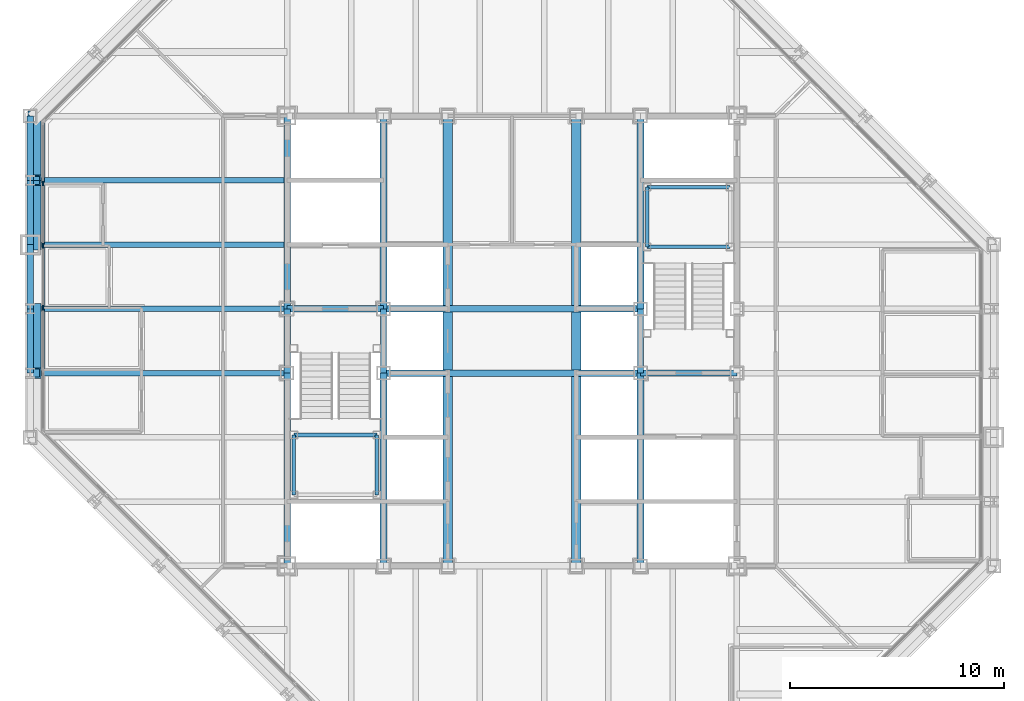
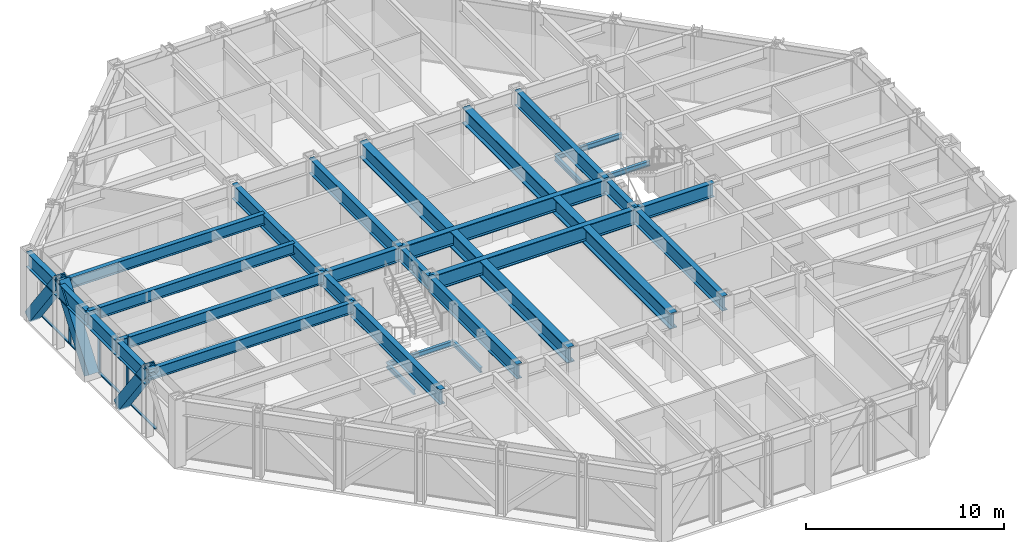
# One storey, part 5 of 15: 33 beams, 10 members, 1 element without a shape of its own.
"""IFC4 building model written with IfcOpenShell, lengths in metres."""

from ifc_helpers import new_model, si_unit, direction, frame, origin, origin_2d, place, context, subcontext, project, spatial, rectangle, hollow_rectangle, i_section, extrude, material, layer, layer_set, material_profile, profile_set, type_object, element, aggregate, save


model = new_model("IFC4")

# Units and contexts
model_context = context("Model", 3, precision=1e-05, world=origin(), true_north=direction((0.0, 1.0)))
body_context = subcontext(model_context, "Body", "Model", "MODEL_VIEW")
ifc_project = project(units=[si_unit("LENGTHUNIT", "METRE"), si_unit("AREAUNIT", "SQUARE_METRE"), si_unit("VOLUMEUNIT", "CUBIC_METRE"), si_unit("PLANEANGLEUNIT", "RADIAN"), si_unit("MASSUNIT", "GRAM", prefix="KILO")], contexts=[model_context])

# Site, building, storey
site_placement = place(None, origin())
site = spatial("IfcSite", under=ifc_project, at=site_placement, CompositionType="ELEMENT")
building_placement = place(site_placement, origin())
building = spatial("IfcBuilding", under=site, at=building_placement, Name="Chuquiago Exchange Tower", CompositionType="ELEMENT")
storey_placement = place(building_placement, frame((0.0, 0.0, 184.5)))
storey = spatial("IfcBuildingStorey", under=building, at=storey_placement, Name="L40", CompositionType="ELEMENT", Elevation=184.5)

# Beams
ifc_material_1 = material(Name="Steel ASTM A992", Category="steel")
ifc_material_profile_1 = material_profile(ifc_material_1, i_section(OverallWidth=0.25390625, OverallDepth=0.683349609375, WebThickness=0.012451171875, FlangeThickness=0.018798828125, at=origin_2d()), Name="W27X94")
ifc_profile_set_1 = profile_set([ifc_material_profile_1], Name="Steel ASTM A992")
beam_type_1 = type_object("IfcBeamType", Name="B1 W27X94", PredefinedType="BEAM", material=ifc_profile_set_1)
for number, where, z_axis, x_axis, name in (
    (1, (12.0, 21.0, 3.698486328125), (-1.0, 0.0, 0.0), (0.0, -1.0, 0.0), "FB-L41-infill-12_21--0_21-0"),
    (2, (12.0, 24.0, 3.698486328125), (-1.0, 0.0, 0.0), (0.0, -1.0, 0.0), "FB-L41-infill-12_24--0_24-0"),
    (3, (12.0, 27.0, 3.698486328125), (-1.0, 0.0, 0.0), (0.0, -1.0, 0.0), "FB-L41-infill-12_27--0_27-0"),
    (4, (12.0, 30.0, 3.698486328125), (-1.0, 0.0, 0.0), (0.0, -1.0, 0.0), "FB-L41-infill-12_30--0_30-0"),
):
    element("IfcBeam", number, at=place(storey_placement, frame(where, z_axis=z_axis, x_axis=x_axis)), inside=storey, type_object=beam_type_1, Name=name, PredefinedType="BEAM", context=body_context, shape_type="SweptSolid", body=[
        extrude(i_section(OverallWidth=0.25390625, OverallDepth=0.683349609375, WebThickness=0.012451171875, FlangeThickness=0.018798828125, at=origin_2d()), origin(), (0.0, 0.0, 1.0), 12.0),
    ])
ifc_material_2 = material(Name="Steel ASTM A992", Category="steel")
ifc_material_profile_2 = material_profile(ifc_material_2, i_section(OverallWidth=0.307373046875, OverallDepth=0.927001953125, WebThickness=0.01953125, FlangeThickness=0.031982421875, at=origin_2d()), Name="W36X194")
ifc_profile_set_2 = profile_set([ifc_material_profile_2], Name="Steel ASTM A992")
beam_type_2 = type_object("IfcBeamType", Name="B10 W36X194", PredefinedType="BEAM", material=ifc_profile_set_2)
for number, where, z_axis, x_axis, name in (
    (5, (12.0, 12.0, 3.576416015625), (0.0, 1.0, 0.0), (-1.0, 0.0, 0.0), "CB-L41-12_12-12_21"),
    (6, (12.0, 24.0, 3.576416015625), (0.0, 1.0, 0.0), (-1.0, 0.0, 0.0), "CB-L41-12_24-12_33"),
    (7, (16.5, 12.0, 3.576416015625), (0.0, 1.0, 0.0), (-1.0, 0.0, 0.0), "CB-L41-16.5_12-16.5_21"),
    (8, (16.5, 24.0, 3.576416015625), (0.0, 1.0, 0.0), (-1.0, 0.0, 0.0), "CB-L41-16.5_24-16.5_33"),
    (9, (28.5, 12.0, 3.576416015625), (0.0, 1.0, 0.0), (-1.0, 0.0, 0.0), "CB-L41-28.5_12-28.5_21"),
    (10, (28.5, 24.0, 3.576416015625), (0.0, 1.0, 0.0), (-1.0, 0.0, 0.0), "CB-L41-28.5_24-28.5_33"),
):
    element("IfcBeam", number, at=place(storey_placement, frame(where, z_axis=z_axis, x_axis=x_axis)), inside=storey, type_object=beam_type_2, Name=name, PredefinedType="BEAM", context=body_context, shape_type="SweptSolid", body=[
        extrude(i_section(OverallWidth=0.307373046875, OverallDepth=0.927001953125, WebThickness=0.01953125, FlangeThickness=0.031982421875, at=origin_2d()), origin(), (0.0, 0.0, 1.0), 9.0),
    ])
ifc_material_3 = material(Name="Steel ASTM A992", Category="steel")
ifc_material_profile_3 = material_profile(ifc_material_3, i_section(OverallWidth=0.309814453125, OverallDepth=0.949951171875, WebThickness=0.0244140625, FlangeThickness=0.0439453125, at=origin_2d()), Name="W36X256")
ifc_profile_set_3 = profile_set([ifc_material_profile_3], Name="Steel ASTM A992")
beam_type_3 = type_object("IfcBeamType", Name="B11 W36X256", PredefinedType="BEAM", material=ifc_profile_set_3)
for number, where, z_axis, x_axis, name in (
    (11, (16.5, 21.0, 3.56494140625), (1.0, 0.0, 0.0), (0.0, 1.0, 0.0), "CB-L41-16.5_21-28.5_21"),
    (12, (16.5, 24.0, 3.56494140625), (1.0, 0.0, 0.0), (0.0, 1.0, 0.0), "CB-L41-16.5_24-28.5_24"),
):
    element("IfcBeam", number, at=place(storey_placement, frame(where, z_axis=z_axis, x_axis=x_axis)), inside=storey, type_object=beam_type_3, Name=name, PredefinedType="BEAM", context=body_context, shape_type="SweptSolid", body=[
        extrude(i_section(OverallWidth=0.309814453125, OverallDepth=0.949951171875, WebThickness=0.0244140625, FlangeThickness=0.0439453125, at=origin_2d()), origin(), (0.0, 0.0, 1.0), 12.0),
    ])
ifc_material_4 = material(Name="Steel ASTM A992", Category="steel")
ifc_material_profile_4 = material_profile(ifc_material_4, i_section(OverallWidth=0.4267578125, OverallDepth=0.975341796875, WebThickness=0.031005859375, FlangeThickness=0.055908203125, at=origin_2d()), Name="W36X395")
ifc_profile_set_4 = profile_set([ifc_material_profile_4], Name="Steel ASTM A992")
beam_type_4 = type_object("IfcBeamType", Name="B12 W36X395", PredefinedType="BEAM", material=ifc_profile_set_4)
beam_1_placement = place(storey_placement, frame((19.5, 12.0, 3.55224609375), z_axis=(0.0, 1.0, 0.0), x_axis=(-1.0, 0.0, 0.0)))
element("IfcBeam", 13, at=beam_1_placement, inside=storey, type_object=beam_type_4, Name="CB-L41-19.5_12-19.5_20.8451", PredefinedType="BEAM", context=body_context, shape_type="SweptSolid", body=[
    extrude(i_section(OverallWidth=0.4267578125, OverallDepth=0.975341796875, WebThickness=0.031005859375, FlangeThickness=0.055908203125, at=origin_2d()), origin(), (0.0, 0.0, 1.0), 8.84521484375),
])
beam_2_placement = place(storey_placement, frame((19.5, 21.15478515625, 3.55224609375), z_axis=(0.0, 1.0, 0.0), x_axis=(-1.0, 0.0, 0.0)))
element("IfcBeam", 14, at=beam_2_placement, inside=storey, type_object=beam_type_4, Name="CB-L41-19.5_21.1549-19.5_23.8451", PredefinedType="BEAM", context=body_context, shape_type="SweptSolid", body=[
    extrude(i_section(OverallWidth=0.4267578125, OverallDepth=0.975341796875, WebThickness=0.031005859375, FlangeThickness=0.055908203125, at=origin_2d()), origin(), (0.0, 0.0, 1.0), 2.6904296875),
])
for number, where, z_axis, x_axis, name in (
    (15, (19.5, 24.15478515625, 3.55224609375), (0.0, 1.0, 0.0), (-1.0, 0.0, 0.0), "CB-L41-19.5_24.1549-19.5_33"),
    (16, (25.5, 12.0, 3.55224609375), (0.0, 1.0, 0.0), (-1.0, 0.0, 0.0), "CB-L41-25.5_12-25.5_20.8451"),
):
    element("IfcBeam", number, at=place(storey_placement, frame(where, z_axis=z_axis, x_axis=x_axis)), inside=storey, type_object=beam_type_4, Name=name, PredefinedType="BEAM", context=body_context, shape_type="SweptSolid", body=[
        extrude(i_section(OverallWidth=0.4267578125, OverallDepth=0.975341796875, WebThickness=0.031005859375, FlangeThickness=0.055908203125, at=origin_2d()), origin(), (0.0, 0.0, 1.0), 8.84521484375),
    ])
beam_3_placement = place(storey_placement, frame((25.5, 21.15478515625, 3.55224609375), z_axis=(0.0, 1.0, 0.0), x_axis=(-1.0, 0.0, 0.0)))
element("IfcBeam", 17, at=beam_3_placement, inside=storey, type_object=beam_type_4, Name="CB-L41-25.5_21.1549-25.5_23.8451", PredefinedType="BEAM", context=body_context, shape_type="SweptSolid", body=[
    extrude(i_section(OverallWidth=0.4267578125, OverallDepth=0.975341796875, WebThickness=0.031005859375, FlangeThickness=0.055908203125, at=origin_2d()), origin(), (0.0, 0.0, 1.0), 2.6904296875),
])
beam_4_placement = place(storey_placement, frame((25.5, 24.15478515625, 3.55224609375), z_axis=(0.0, 1.0, 0.0), x_axis=(-1.0, 0.0, 0.0)))
element("IfcBeam", 18, at=beam_4_placement, inside=storey, type_object=beam_type_4, Name="CB-L41-25.5_24.1549-25.5_33", PredefinedType="BEAM", context=body_context, shape_type="SweptSolid", body=[
    extrude(i_section(OverallWidth=0.4267578125, OverallDepth=0.975341796875, WebThickness=0.031005859375, FlangeThickness=0.055908203125, at=origin_2d()), origin(), (0.0, 0.0, 1.0), 8.84521484375),
])
ifc_material_5 = material(Name="Steel ASTM A992", Category="steel")
ifc_material_profile_5 = material_profile(ifc_material_5, i_section(OverallWidth=0.2919921875, OverallDepth=0.8583984375, WebThickness=0.01708984375, FlangeThickness=0.031005859375, at=origin_2d()), Name="W33X169")
ifc_profile_set_5 = profile_set([ifc_material_profile_5], Name="Steel ASTM A992")
beam_type_5 = type_object("IfcBeamType", Name="B3 W33X169", PredefinedType="BEAM", material=ifc_profile_set_5)
for number, where, z_axis, x_axis, name in (
    (19, (12.0, 21.0, 3.610595703125), (0.0, 1.0, 0.0), (-1.0, 0.0, 0.0), "CB-L41-12_21-12_24"),
    (20, (16.5, 21.0, 3.610595703125), (0.0, 1.0, 0.0), (-1.0, 0.0, 0.0), "CB-L41-16.5_21-16.5_24"),
    (21, (28.5, 21.0, 3.610595703125), (0.0, 1.0, 0.0), (-1.0, 0.0, 0.0), "CB-L41-28.5_21-28.5_24"),
):
    element("IfcBeam", number, at=place(storey_placement, frame(where, z_axis=z_axis, x_axis=x_axis)), inside=storey, type_object=beam_type_5, Name=name, PredefinedType="BEAM", context=body_context, shape_type="SweptSolid", body=[
        extrude(i_section(OverallWidth=0.2919921875, OverallDepth=0.8583984375, WebThickness=0.01708984375, FlangeThickness=0.031005859375, at=origin_2d()), origin(), (0.0, 0.0, 1.0), 3.0),
    ])
for number, where, z_axis, x_axis, name in (
    (22, (28.5, 21.0, 3.610595703125), (1.0, 0.0, 0.0), (0.0, 1.0, 0.0), "CB-L41-28.5_21-33_21"),
    (23, (12.0, 24.0, 3.610595703125), (1.0, 0.0, 0.0), (0.0, 1.0, 0.0), "CB-L41-12_24-16.5_24"),
):
    element("IfcBeam", number, at=place(storey_placement, frame(where, z_axis=z_axis, x_axis=x_axis)), inside=storey, type_object=beam_type_5, Name=name, PredefinedType="BEAM", context=body_context, shape_type="SweptSolid", body=[
        extrude(i_section(OverallWidth=0.2919921875, OverallDepth=0.8583984375, WebThickness=0.01708984375, FlangeThickness=0.031005859375, at=origin_2d()), origin(), (0.0, 0.0, 1.0), 4.5),
    ])

# Curtain wall, members
ifc_material_6 = material(Name="Aluminium curtain wall system", Category="aluminium")
ifc_layer = layer(ifc_material_6, 0.22509765625)
ifc_layer_set = layer_set([ifc_layer], Name="CW2 office curtain wall")
curtain_wall_type = type_object("IfcCurtainWallType", Name="CW2 office curtain wall", PredefinedType="NOTDEFINED", material=ifc_layer_set)
curtain_wall_placement = place(storey_placement, origin())
curtain_wall = element("IfcCurtainWall", 24, at=curtain_wall_placement, inside=storey, type_object=curtain_wall_type, Name="CW2 curtain wall L40", PredefinedType="NOTDEFINED")
ifc_material_7 = material(Name="Aluminium mullion, pale anodised", Category="aluminium")
ifc_material_profile_6 = material_profile(ifc_material_7, rectangle(XDim=0.06494140625, YDim=0.22509765625, at=origin_2d()), Name="AL 65x225")
ifc_profile_set_6 = profile_set([ifc_material_profile_6], Name="Aluminium mullion, pale anodised")
member_type_1 = type_object("IfcMemberType", Name="CW2-M mullion 65x225", PredefinedType="MULLION", material=ifc_profile_set_6)
member_1_placement = place(storey_placement, frame((0.60009765625, 29.850830078125, 0.0), z_axis=(0.0, 0.0, 1.0), x_axis=(1.0, 0.0, 0.0)))
member_1 = element("IfcMember", 25, at=member_1_placement, type_object=member_type_1, Name="CW2 mullion 2", PredefinedType="MULLION", context=body_context, shape_type="SweptSolid", body=[
    extrude(rectangle(XDim=0.06494140625, YDim=0.22509765625, at=origin_2d()), origin(), (0.0, 0.0, 1.0), 4.0400390625),
])
member_2_placement = place(storey_placement, frame((0.60009765625, 26.9501953125, 0.0), z_axis=(0.0, 0.0, 1.0), x_axis=(1.0, 0.0, 0.0)))
member_2 = element("IfcMember", 26, at=member_2_placement, type_object=member_type_1, Name="CW2 mullion 3", PredefinedType="MULLION", context=body_context, shape_type="SweptSolid", body=[
    extrude(rectangle(XDim=0.06494140625, YDim=0.22509765625, at=origin_2d()), origin(), (0.0, 0.0, 1.0), 4.0400390625),
])
member_3_placement = place(storey_placement, frame((0.60009765625, 24.0498046875, 0.0), z_axis=(0.0, 0.0, 1.0), x_axis=(1.0, 0.0, 0.0)))
member_3 = element("IfcMember", 27, at=member_3_placement, type_object=member_type_1, Name="CW2 mullion 4", PredefinedType="MULLION", context=body_context, shape_type="SweptSolid", body=[
    extrude(rectangle(XDim=0.06494140625, YDim=0.22509765625, at=origin_2d()), origin(), (0.0, 0.0, 1.0), 4.0400390625),
])
ifc_material_8 = material(Name="Aluminium transom, pale anodised", Category="aluminium")
ifc_material_profile_7 = material_profile(ifc_material_8, rectangle(XDim=0.139892578125, YDim=0.06494140625, at=origin_2d()), Name="AL 140x65")
ifc_profile_set_7 = profile_set([ifc_material_profile_7], Name="Aluminium transom, pale anodised")
member_type_2 = type_object("IfcMemberType", Name="CW2-T transom 65x140", PredefinedType="MULLION", material=ifc_profile_set_7)
member_4_placement = place(storey_placement, frame((0.60009765625, 32.6865234375, 0.032470703125), z_axis=(0.0, -1.0, 0.0), x_axis=(1.0, 0.0, 0.0)))
member_4 = element("IfcMember", 28, at=member_4_placement, type_object=member_type_2, Name="CW2 transom 1.1", PredefinedType="MULLION", context=body_context, shape_type="SweptSolid", body=[
    extrude(rectangle(XDim=0.139892578125, YDim=0.06494140625, at=origin_2d()), origin(), (0.0, 0.0, 1.0), 2.80322265625),
])
member_5_placement = place(storey_placement, frame((0.60009765625, 29.818359375, 0.032470703125), z_axis=(0.0, -1.0, 0.0), x_axis=(1.0, 0.0, 0.0)))
member_5 = element("IfcMember", 29, at=member_5_placement, type_object=member_type_2, Name="CW2 transom 2.1", PredefinedType="MULLION", context=body_context, shape_type="SweptSolid", body=[
    extrude(rectangle(XDim=0.139892578125, YDim=0.06494140625, at=origin_2d()), origin(), (0.0, 0.0, 1.0), 2.83544921875),
])
member_6_placement = place(storey_placement, frame((0.60009765625, 26.917724609375, 0.032470703125), z_axis=(0.0, -1.0, 0.0), x_axis=(1.0, 0.0, 0.0)))
member_6 = element("IfcMember", 30, at=member_6_placement, type_object=member_type_2, Name="CW2 transom 3.1", PredefinedType="MULLION", context=body_context, shape_type="SweptSolid", body=[
    extrude(rectangle(XDim=0.139892578125, YDim=0.06494140625, at=origin_2d()), origin(), (0.0, 0.0, 1.0), 2.83544921875),
])
member_7_placement = place(storey_placement, frame((0.60009765625, 24.01708984375, 0.032470703125), z_axis=(0.0, -1.0, 0.0), x_axis=(1.0, 0.0, 0.0)))
member_7 = element("IfcMember", 31, at=member_7_placement, type_object=member_type_2, Name="CW2 transom 4.1", PredefinedType="MULLION", context=body_context, shape_type="SweptSolid", body=[
    extrude(rectangle(XDim=0.139892578125, YDim=0.06494140625, at=origin_2d()), origin(), (0.0, 0.0, 1.0), 2.83544921875),
])
aggregate(curtain_wall, [member_1, member_2, member_3, member_4, member_5, member_6, member_7])

# Beams
ifc_material_9 = material(Name="Steel ASTM A992", Category="steel")
ifc_material_profile_8 = material_profile(ifc_material_9, i_section(OverallWidth=0.164794921875, OverallDepth=0.309814453125, WebThickness=0.005859375, FlangeThickness=0.009765625, at=origin_2d()), Name="W12X26")
ifc_profile_set_8 = profile_set([ifc_material_profile_8], Name="Steel ASTM A992")
beam_type_6 = type_object("IfcBeamType", Name="LS1 W12X26", PredefinedType="BEAM", material=ifc_profile_set_8)
for number, where, z_axis, x_axis, name in (
    (32, (12.31005859375, 15.31005859375, 1.7451171875), (0.0, 1.0, 0.0), (-1.0, 0.0, 0.0), "Stair ST1 L40 landing 1 stringer"),
    (33, (16.18994140625, 15.31005859375, 1.7451171875), (0.0, 1.0, 0.0), (-1.0, 0.0, 0.0), "Stair ST1 L40 landing 1 stringer"),
    (34, (28.81005859375, 26.889892578125, 1.7451171875), (0.0, 1.0, 0.0), (-1.0, 0.0, 0.0), "Stair ST2 L40 landing 1 stringer"),
):
    element("IfcBeam", number, at=place(storey_placement, frame(where, z_axis=z_axis, x_axis=x_axis)), inside=storey, type_object=beam_type_6, Name=name, PredefinedType="BEAM", context=body_context, shape_type="SweptSolid", body=[
        extrude(i_section(OverallWidth=0.164794921875, OverallDepth=0.309814453125, WebThickness=0.005859375, FlangeThickness=0.009765625, at=origin_2d()), origin(), (0.0, 0.0, 1.0), 2.800048828125),
    ])
ifc_material_10 = material(Name="Steel ASTM A992", Category="steel")
ifc_material_profile_9 = material_profile(ifc_material_10, i_section(OverallWidth=0.164794921875, OverallDepth=0.309814453125, WebThickness=0.005859375, FlangeThickness=0.009765625, at=origin_2d()), Name="W12X26")
ifc_profile_set_9 = profile_set([ifc_material_profile_9], Name="Steel ASTM A992")
beam_type_7 = type_object("IfcBeamType", Name="LT1 W12X26", PredefinedType="BEAM", material=ifc_profile_set_9)
for number, where, z_axis, x_axis, name in (
    (35, (12.31005859375, 18.110107421875, 1.7451171875), (1.0, 0.0, 0.0), (0.0, 1.0, 0.0), "Stair ST1 L40 landing 1 trimmer"),
    (36, (28.81005859375, 29.68994140625, 1.7451171875), (1.0, 0.0, 0.0), (0.0, 1.0, 0.0), "Stair ST2 L40 landing 1 trimmer"),
    (37, (28.81005859375, 26.889892578125, 1.7451171875), (1.0, 0.0, 0.0), (0.0, 1.0, 0.0), "Stair ST2 L40 landing 1 trimmer"),
):
    element("IfcBeam", number, at=place(storey_placement, frame(where, z_axis=z_axis, x_axis=x_axis)), inside=storey, type_object=beam_type_7, Name=name, PredefinedType="BEAM", context=body_context, shape_type="SweptSolid", body=[
        extrude(i_section(OverallWidth=0.164794921875, OverallDepth=0.309814453125, WebThickness=0.005859375, FlangeThickness=0.009765625, at=origin_2d()), origin(), (0.0, 0.0, 1.0), 3.8798828125),
    ])

# Members
ifc_material_11 = material(Name="Steel ASTM A572 Grade 50", Category="steel")
ifc_material_profile_10 = material_profile(ifc_material_11, hollow_rectangle(XDim=0.60009765625, YDim=0.60009765625, WallThickness=0.06005859375, at=origin_2d()), Name="BOX600X600X60")
ifc_profile_set_10 = profile_set([ifc_material_profile_10], Name="Steel ASTM A572 Grade 50")
member_type_3 = type_object("IfcMemberType", Name="MB3 BOX600X600X60", PredefinedType="BRACE", material=ifc_profile_set_10)
for number, where, z_axis, x_axis, name in (
    (38, (0.205078125, 33.0, 0.0), (0.0, -0.596173923302, 0.802855312728), (1.0, 0.0, 0.0), "Mega diagonal L40 W face"),
    (39, (0.205078125, 27.0, 0.0), (0.0, 0.596173923302, 0.802855312728), (-1.0, 0.0, 0.0), "Mega diagonal L40 W face"),
    (40, (0.205078125, 24.0, 0.0), (0.0, -0.596173923302, 0.802855312728), (1.0, 0.0, 0.0), "Mega diagonal L40 W face"),
):
    element("IfcMember", number, at=place(storey_placement, frame(where, z_axis=z_axis, x_axis=x_axis)), inside=storey, type_object=member_type_3, Name=name, PredefinedType="BRACE", context=body_context, shape_type="SweptSolid", body=[
        extrude(hollow_rectangle(XDim=0.60009765625, YDim=0.60009765625, WallThickness=0.06005859375, at=origin_2d()), origin(), (0.0, 0.0, 1.0), 5.031982421875),
    ])

# Beams
ifc_material_12 = material(Name="Steel ASTM A992", Category="steel")
ifc_material_profile_11 = material_profile(ifc_material_12, i_section(OverallWidth=0.307373046875, OverallDepth=0.927001953125, WebThickness=0.01953125, FlangeThickness=0.031982421875, at=origin_2d()), Name="W36X194")
ifc_profile_set_11 = profile_set([ifc_material_profile_11], Name="Steel ASTM A992")
beam_type_8 = type_object("IfcBeamType", Name="SP3 W36X194", PredefinedType="SPANDREL", material=ifc_profile_set_11)
for number, where, z_axis, x_axis, name in (
    (41, (0.0, 33.0, 3.576416015625), (0.0, -1.0, 0.0), (1.0, 0.0, 0.0), "SPB-L41-0_33-0_30"),
    (42, (0.0, 30.0, 3.576416015625), (0.0, -1.0, 0.0), (1.0, 0.0, 0.0), "SPB-L41-0_30-0_27"),
    (43, (0.0, 27.0, 3.576416015625), (0.0, -1.0, 0.0), (1.0, 0.0, 0.0), "SPB-L41-0_27-0_24"),
    (44, (0.0, 24.0, 3.576416015625), (0.0, -1.0, 0.0), (1.0, 0.0, 0.0), "SPB-L41-0_24-0_21"),
):
    element("IfcBeam", number, at=place(storey_placement, frame(where, z_axis=z_axis, x_axis=x_axis)), inside=storey, type_object=beam_type_8, Name=name, PredefinedType="SPANDREL", context=body_context, shape_type="SweptSolid", body=[
        extrude(i_section(OverallWidth=0.307373046875, OverallDepth=0.927001953125, WebThickness=0.01953125, FlangeThickness=0.031982421875, at=origin_2d()), origin(), (0.0, 0.0, 1.0), 3.0),
    ])

save(model, "model.ifc")
